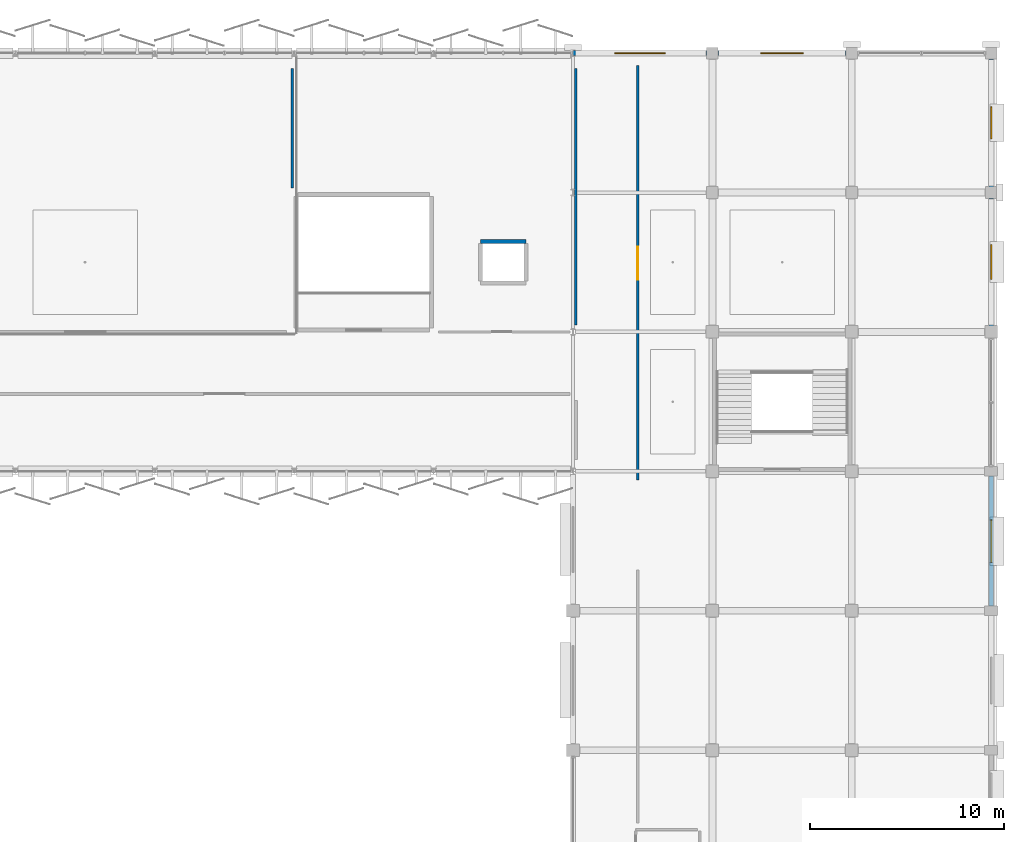
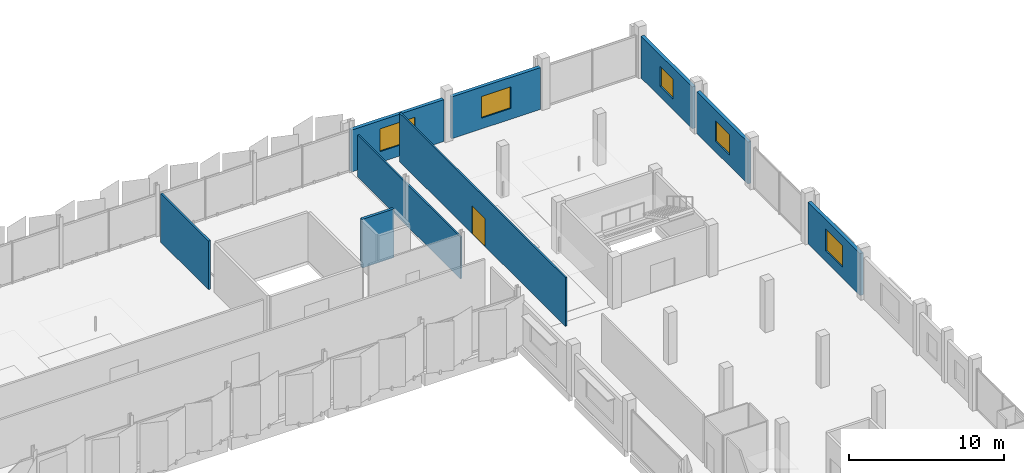
# One storey, part 59 of 77: 9 walls, 5 windows, 1 door, 6 openings.
"""IFC4 building model written with IfcOpenShell, lengths in metres."""

from ifc_helpers import new_model, si_unit, direction, frame, frame_2d, origin, place, context, subcontext, project, spatial, rectangle, extrude, material, layer, layer_set, type_object, element, fill, save


model = new_model("IFC4")

# Units and contexts
model_context = context("Model", 3, precision=1e-05, world=origin(), true_north=direction((0.0, 1.0)))
body_context = subcontext(model_context, "Body", "Model", "MODEL_VIEW")
ifc_project = project(units=[si_unit("LENGTHUNIT", "METRE"), si_unit("AREAUNIT", "SQUARE_METRE"), si_unit("VOLUMEUNIT", "CUBIC_METRE"), si_unit("PLANEANGLEUNIT", "RADIAN"), si_unit("MASSUNIT", "GRAM", prefix="KILO")], contexts=[model_context])

# Site, building, storey
site_placement = place(None, origin())
site = spatial("IfcSite", under=ifc_project, at=site_placement, CompositionType="ELEMENT")
building_placement = place(site_placement, origin())
building = spatial("IfcBuilding", under=site, at=building_placement, Name="Kangsadwip Square Police Headquarters", CompositionType="ELEMENT")
storey_placement = place(building_placement, frame((0.0, 0.0, 17.550048828125)))
storey = spatial("IfcBuildingStorey", under=building, at=storey_placement, Name="L04", CompositionType="ELEMENT", Elevation=17.550048828125)

# Wall
ifc_material_1 = material(Name="Fire-rated double gypsum board acoustic stud partition", Category="masonry")
ifc_layer_1 = layer(ifc_material_1, 0.1201171875)
ifc_layer_set_1 = layer_set([ifc_layer_1], Name="Fire-rated double gypsum board acoustic stud partition")
wall_type_1 = type_object("IfcWallType", Name="AcousticPartition120", PredefinedType="PARTITIONING", material=ifc_layer_set_1)
wall_1_placement = place(storey_placement, frame((144.14990234375, 101.14990234375, 0.0), z_axis=(0.0, 0.0, 1.0), x_axis=(0.0, 1.0, 0.0)))
element("IfcWall", 1, at=wall_1_placement, inside=storey, type_object=wall_type_1, Name="Interior Wall WI-L04-0855", PredefinedType="PARTITIONING", context=body_context, shape_type="SweptSolid", body=[
    extrude(rectangle(XDim=13.25, YDim=0.1201171875, at=frame_2d((6.625, 0.0))), origin(), (0.0, 0.0, 1.0), 3.300048828125),
])

# Wall, opening, door
wall_2_placement = place(storey_placement, frame((147.35009765625, 93.14990234375, 0.0), z_axis=(0.0, 0.0, 1.0), x_axis=(0.0, 1.0, 0.0)))
wall_2 = element("IfcWall", 2, at=wall_2_placement, inside=storey, type_object=wall_type_1, Name="Interior Wall WI-L04-0857", PredefinedType="PARTITIONING", context=body_context, shape_type="SweptSolid", body=[
    extrude(rectangle(XDim=21.400146484375, YDim=0.1201171875, at=frame_2d((10.7001953125, 0.0))), origin(), (0.0, 0.0, 1.0), 3.829833984375),
])
opening_1_placement = place(wall_2_placement, frame((10.35498046875, 0.0, 0.0)))
opening_1 = element("IfcOpeningElement", 3, at=opening_1_placement, cuts=wall_2, Name="Opening ID-17", PredefinedType="OPENING", context=body_context, shape_type="SweptSolid", body=[
    extrude(rectangle(XDim=1.699951171875, YDim=2.199951171875, at=frame_2d((0.85009765625, 1.10009765625))), frame((0.0, 0.070068359375, 0.0), z_axis=(0.0, -1.0, 0.0), x_axis=(1.0, 0.0, 0.0)), (0.0, 0.0, 1.0), 0.14013671875),
])
ifc_material_2 = material(Name="Insulated galvanized steel fire-rated door assembly", Category="steel")
door_type = type_object("IfcDoorType", Name="LabDoubleDoor1700x2200", OperationType="DOUBLE_DOOR_SINGLE_SWING", PredefinedType="DOOR", material=ifc_material_2)
door_placement = place(opening_1_placement, origin())
door = element("IfcDoor", 4, at=door_placement, inside=storey, type_object=door_type, Name="Interior Door ID-L04-0230", OperationType="DOUBLE_DOOR_SINGLE_SWING", OverallHeight=2.199951171875, OverallWidth=1.699951171875, PredefinedType="DOOR", context=body_context, shape_type="SweptSolid", body=[
    extrude(rectangle(XDim=1.699951171875, YDim=2.199951171875, at=frame_2d((0.85009765625, 1.10009765625))), frame((0.0, 0.02490234375, 0.0), z_axis=(0.0, -1.0, 0.0), x_axis=(1.0, 0.0, 0.0)), (0.0, 0.0, 1.0), 0.050048828125),
])
fill(opening_1, door)

# Wall
ifc_material_3 = material(Name="Autoclaved aerated concrete blockwork masonry", Category="masonry")
ifc_layer_2 = layer(ifc_material_3, 0.14990234375)
ifc_layer_set_2 = layer_set([ifc_layer_2], Name="Autoclaved aerated concrete blockwork masonry")
wall_type_2 = type_object("IfcWallType", Name="BlockPartition150", PredefinedType="PARTITIONING", material=ifc_layer_set_2)
wall_3_placement = place(storey_placement, frame((129.5, 108.22900390625, 0.0), z_axis=(0.0, 0.0, 1.0), x_axis=(0.0, 1.0, 0.0)))
element("IfcWall", 5, at=wall_3_placement, inside=storey, type_object=wall_type_2, Name="Interior Wall WI-L04-0853", PredefinedType="PARTITIONING", context=body_context, shape_type="SweptSolid", body=[
    extrude(rectangle(XDim=6.1708984375, YDim=0.14990234375, at=frame_2d((3.08544921875, 0.0))), origin(), (0.0, 0.0, 1.0), 3.829833984375),
])

# Wall, opening, window
ifc_material_4 = material(Name="Glazed architectural terracotta masonry rainscreen", Category="masonry")
ifc_layer_3 = layer(ifc_material_4, 0.25)
ifc_layer_set_3 = layer_set([ifc_layer_3], Name="Glazed architectural terracotta masonry rainscreen")
wall_type_3 = type_object("IfcWallType", Name="ChicagoTerracottaWall250", PredefinedType="SOLIDWALL", material=ifc_layer_set_3)
wall_4_placement = place(storey_placement, frame((144.010009765625, 115.199951171875, 0.0), z_axis=(0.0, 0.0, 1.0), x_axis=(1.0, 0.0, 0.0)))
wall_4 = element("IfcWall", 6, at=wall_4_placement, inside=storey, type_object=wall_type_3, Name="Exterior Wall WE-L04-438", PredefinedType="SOLIDWALL", context=body_context, shape_type="SweptSolid", body=[
    extrude(rectangle(XDim=6.89501953125, YDim=0.25, at=frame_2d((3.447509765625, 0.0))), origin(), (0.0, 0.0, 1.0), 3.294921875),
])
opening_2_placement = place(wall_4_placement, frame((2.1474609375, 0.0, 0.85009765625)))
opening_2 = element("IfcOpeningElement", 7, at=opening_2_placement, cuts=wall_4, Name="Opening WN-06", PredefinedType="OPENING", context=body_context, shape_type="SweptSolid", body=[
    extrude(rectangle(XDim=2.60009765625, YDim=1.800048828125, at=frame_2d((1.300048828125, 0.89990234375))), frame((0.0, 0.135009765625, 0.0), z_axis=(0.0, -1.0, 0.0), x_axis=(1.0, 0.0, 0.0)), (0.0, 0.0, 1.0), 0.27001953125),
])
ifc_material_5 = material(Name="Double-glazed solar-control low-E safety glass", Category="glass")
window_type_1 = type_object("IfcWindowType", Name="ChicagoDoubleMullWin2600x1800", PartitioningType="DOUBLE_PANEL_VERTICAL", PredefinedType="WINDOW", material=ifc_material_5)
window_1_placement = place(opening_2_placement, origin())
window_1 = element("IfcWindow", 8, at=window_1_placement, inside=storey, type_object=window_type_1, Name="Window WN-L04-0288", OverallHeight=1.800048828125, OverallWidth=2.60009765625, PartitioningType="SINGLE_PANEL", PredefinedType="WINDOW", context=body_context, shape_type="SweptSolid", body=[
    extrude(rectangle(XDim=2.60009765625, YDim=1.800048828125, at=frame_2d((1.300048828125, 0.89990234375))), frame((0.0, 0.030029296875, 0.0), z_axis=(0.0, -1.0, 0.0), x_axis=(1.0, 0.0, 0.0)), (0.0, 0.0, 1.0), 0.06005859375),
])
fill(opening_2, window_1)

wall_5_placement = place(storey_placement, frame((151.4951171875, 115.199951171875, 0.0), z_axis=(0.0, 0.0, 1.0), x_axis=(1.0, 0.0, 0.0)))
wall_5 = element("IfcWall", 9, at=wall_5_placement, inside=storey, type_object=wall_type_3, Name="Exterior Wall WE-L04-439", PredefinedType="SOLIDWALL", context=body_context, shape_type="SweptSolid", body=[
    extrude(rectangle(XDim=6.60986328125, YDim=0.25, at=frame_2d((3.304931640625, 0.0))), origin(), (0.0, 0.0, 1.0), 3.294921875),
])
opening_3_placement = place(wall_5_placement, frame((2.205078125, 0.0, 0.85009765625)))
opening_3 = element("IfcOpeningElement", 10, at=opening_3_placement, cuts=wall_5, Name="Opening WN-08", PredefinedType="OPENING", context=body_context, shape_type="SweptSolid", body=[
    extrude(rectangle(XDim=2.199951171875, YDim=1.699951171875, at=frame_2d((1.10009765625, 0.85009765625))), frame((0.0, 0.135009765625, 0.0), z_axis=(0.0, -1.0, 0.0), x_axis=(1.0, 0.0, 0.0)), (0.0, 0.0, 1.0), 0.27001953125),
])
ifc_material_6 = material(Name="Double-glazed solar-control low-E safety glass", Category="glass")
window_type_2 = type_object("IfcWindowType", Name="ChicagoDoubleMullWin2200x1700", PartitioningType="DOUBLE_PANEL_VERTICAL", PredefinedType="WINDOW", material=ifc_material_6)
window_2_placement = place(opening_3_placement, origin())
window_2 = element("IfcWindow", 11, at=window_2_placement, inside=storey, type_object=window_type_2, Name="Window WN-L04-0289", OverallHeight=1.699951171875, OverallWidth=2.199951171875, PartitioningType="SINGLE_PANEL", PredefinedType="WINDOW", context=body_context, shape_type="SweptSolid", body=[
    extrude(rectangle(XDim=2.199951171875, YDim=1.699951171875, at=frame_2d((1.10009765625, 0.85009765625))), frame((0.0, 0.030029296875, 0.0), z_axis=(0.0, -1.0, 0.0), x_axis=(1.0, 0.0, 0.0)), (0.0, 0.0, 1.0), 0.06005859375),
])
fill(opening_3, window_2)

wall_6_placement = place(storey_placement, frame((165.60009765625, 86.64501953125, 0.0), z_axis=(0.0, 0.0, 1.0), x_axis=(0.0, 1.0, 0.0)))
wall_6 = element("IfcWall", 12, at=wall_6_placement, inside=storey, type_object=wall_type_3, Name="Exterior Wall WE-L04-474", PredefinedType="SOLIDWALL", context=body_context, shape_type="SweptSolid", body=[
    extrude(rectangle(XDim=6.7099609375, YDim=0.25, at=frame_2d((3.35498046875, 0.0))), origin(), (0.0, 0.0, 1.0), 3.294921875),
])
opening_4_placement = place(wall_6_placement, frame((2.2548828125, 0.0, 0.85009765625)))
opening_4 = element("IfcOpeningElement", 13, at=opening_4_placement, cuts=wall_6, Name="Opening WN-08", PredefinedType="OPENING", context=body_context, shape_type="SweptSolid", body=[
    extrude(rectangle(XDim=2.199951171875, YDim=1.699951171875, at=frame_2d((1.10009765625, 0.85009765625))), frame((0.0, 0.135009765625, 0.0), z_axis=(0.0, -1.0, 0.0), x_axis=(1.0, 0.0, 0.0)), (0.0, 0.0, 1.0), 0.27001953125),
])
window_3_placement = place(opening_4_placement, origin())
window_3 = element("IfcWindow", 14, at=window_3_placement, inside=storey, type_object=window_type_2, Name="Window WN-L04-0324", OverallHeight=1.699951171875, OverallWidth=2.199951171875, PartitioningType="SINGLE_PANEL", PredefinedType="WINDOW", context=body_context, shape_type="SweptSolid", body=[
    extrude(rectangle(XDim=2.199951171875, YDim=1.699951171875, at=frame_2d((1.10009765625, 0.85009765625))), frame((0.0, 0.030029296875, 0.0), z_axis=(0.0, -1.0, 0.0), x_axis=(1.0, 0.0, 0.0)), (0.0, 0.0, 1.0), 0.06005859375),
])
fill(opening_4, window_3)

wall_7_placement = place(storey_placement, frame((165.60009765625, 101.1201171875, 0.0), z_axis=(0.0, 0.0, 1.0), x_axis=(0.0, 1.0, 0.0)))
wall_7 = element("IfcWall", 15, at=wall_7_placement, inside=storey, type_object=wall_type_3, Name="Exterior Wall WE-L04-475", PredefinedType="SOLIDWALL", context=body_context, shape_type="SweptSolid", body=[
    extrude(rectangle(XDim=6.5849609375, YDim=0.25, at=frame_2d((3.29248046875, 0.0))), origin(), (0.0, 0.0, 1.0), 3.294921875),
])
opening_5_placement = place(wall_7_placement, frame((2.392578125, 0.0, 0.85009765625)))
opening_5 = element("IfcOpeningElement", 16, at=opening_5_placement, cuts=wall_7, Name="Opening WN-10", PredefinedType="OPENING", context=body_context, shape_type="SweptSolid", body=[
    extrude(rectangle(XDim=1.800048828125, YDim=1.60009765625, at=frame_2d((0.89990234375, 0.800048828125))), frame((0.0, 0.135009765625, 0.0), z_axis=(0.0, -1.0, 0.0), x_axis=(1.0, 0.0, 0.0)), (0.0, 0.0, 1.0), 0.27001953125),
])
ifc_material_7 = material(Name="Double-glazed solar-control low-E safety glass", Category="glass")
window_type_3 = type_object("IfcWindowType", Name="LabCleanViewWin1800x1600", PartitioningType="DOUBLE_PANEL_VERTICAL", PredefinedType="WINDOW", material=ifc_material_7)
window_4_placement = place(opening_5_placement, origin())
window_4 = element("IfcWindow", 17, at=window_4_placement, inside=storey, type_object=window_type_3, Name="Window WN-L04-0325", OverallHeight=1.60009765625, OverallWidth=1.800048828125, PartitioningType="SINGLE_PANEL", PredefinedType="WINDOW", context=body_context, shape_type="SweptSolid", body=[
    extrude(rectangle(XDim=1.800048828125, YDim=1.60009765625, at=frame_2d((0.89990234375, 0.800048828125))), frame((0.0, 0.030029296875, 0.0), z_axis=(0.0, -1.0, 0.0), x_axis=(1.0, 0.0, 0.0)), (0.0, 0.0, 1.0), 0.06005859375),
])
fill(opening_5, window_4)

wall_8_placement = place(storey_placement, frame((165.60009765625, 108.294921875, 0.0), z_axis=(0.0, 0.0, 1.0), x_axis=(0.0, 1.0, 0.0)))
wall_8 = element("IfcWall", 18, at=wall_8_placement, inside=storey, type_object=wall_type_3, Name="Exterior Wall WE-L04-476", PredefinedType="SOLIDWALL", context=body_context, shape_type="SweptSolid", body=[
    extrude(rectangle(XDim=6.610107421875, YDim=0.25, at=frame_2d((3.30517578125, 0.0))), origin(), (0.0, 0.0, 1.0), 3.294921875),
])
opening_6_placement = place(wall_8_placement, frame((2.47998046875, 0.0, 0.85009765625)))
opening_6 = element("IfcOpeningElement", 19, at=opening_6_placement, cuts=wall_8, Name="Opening WN-11", PredefinedType="OPENING", context=body_context, shape_type="SweptSolid", body=[
    extrude(rectangle(XDim=1.64990234375, YDim=1.550048828125, at=frame_2d((0.824951171875, 0.77490234375))), frame((0.0, 0.135009765625, 0.0), z_axis=(0.0, -1.0, 0.0), x_axis=(1.0, 0.0, 0.0)), (0.0, 0.0, 1.0), 0.27001953125),
])
ifc_material_8 = material(Name="Double-glazed solar-control low-E safety glass", Category="glass")
window_type_4 = type_object("IfcWindowType", Name="LabCleanViewWin1650x1550", PartitioningType="SINGLE_PANEL", PredefinedType="WINDOW", material=ifc_material_8)
window_5_placement = place(opening_6_placement, origin())
window_5 = element("IfcWindow", 20, at=window_5_placement, inside=storey, type_object=window_type_4, Name="Window WN-L04-0326", OverallHeight=1.550048828125, OverallWidth=1.64990234375, PartitioningType="SINGLE_PANEL", PredefinedType="WINDOW", context=body_context, shape_type="SweptSolid", body=[
    extrude(rectangle(XDim=1.64990234375, YDim=1.550048828125, at=frame_2d((0.824951171875, 0.77490234375))), frame((0.0, 0.030029296875, 0.0), z_axis=(0.0, -1.0, 0.0), x_axis=(1.0, 0.0, 0.0)), (0.0, 0.0, 1.0), 0.06005859375),
])
fill(opening_6, window_5)

# Wall
ifc_material_9 = material(Name="Concrete M40 (40 MPa)", Category="concrete")
ifc_layer_4 = layer(ifc_material_9, 0.199951171875)
ifc_layer_set_4 = layer_set([ifc_layer_4], Name="Concrete M40 (40 MPa)")
wall_type_4 = type_object("IfcWallType", Name="CoreShearWall200", PredefinedType="SHEAR", material=ifc_layer_set_4)
wall_9_placement = place(storey_placement, frame((139.22509765625, 105.47509765625, 0.0), z_axis=(0.0, 0.0, 1.0), x_axis=(1.0, 0.0, 0.0)))
element("IfcWall", 21, at=wall_9_placement, inside=storey, type_object=wall_type_4, Name="Interior Wall WI-L04-0480", PredefinedType="SHEAR", context=body_context, shape_type="SweptSolid", body=[
    extrude(rectangle(XDim=2.349853515625, YDim=0.199951171875, at=frame_2d((1.1748046875, 0.0))), origin(), (0.0, 0.0, 1.0), 3.829833984375),
])

save(model, "model.ifc")
